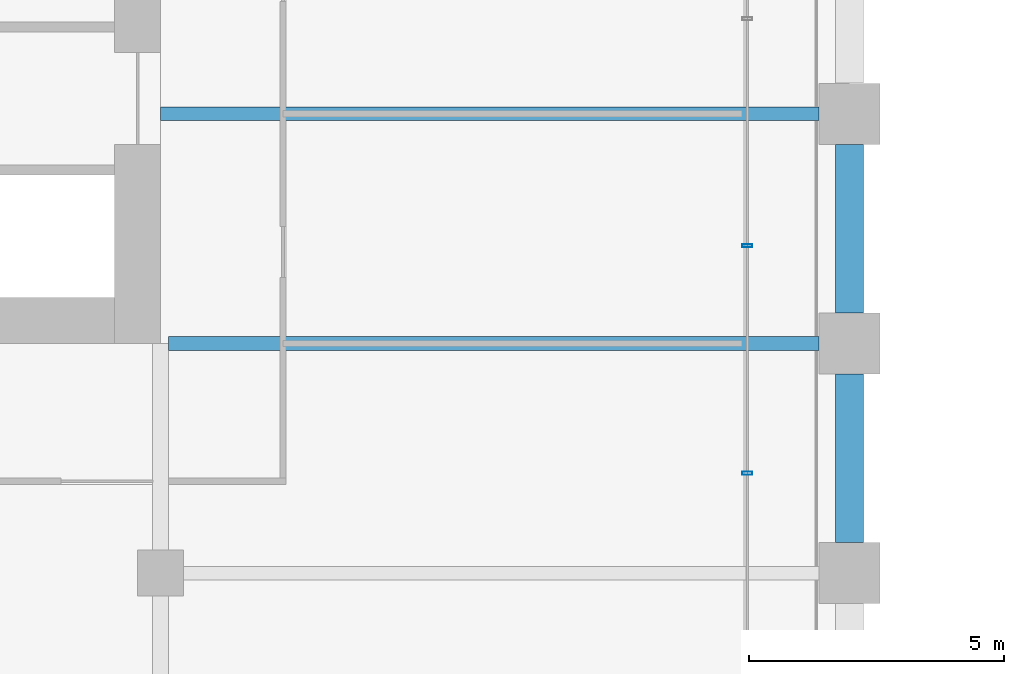
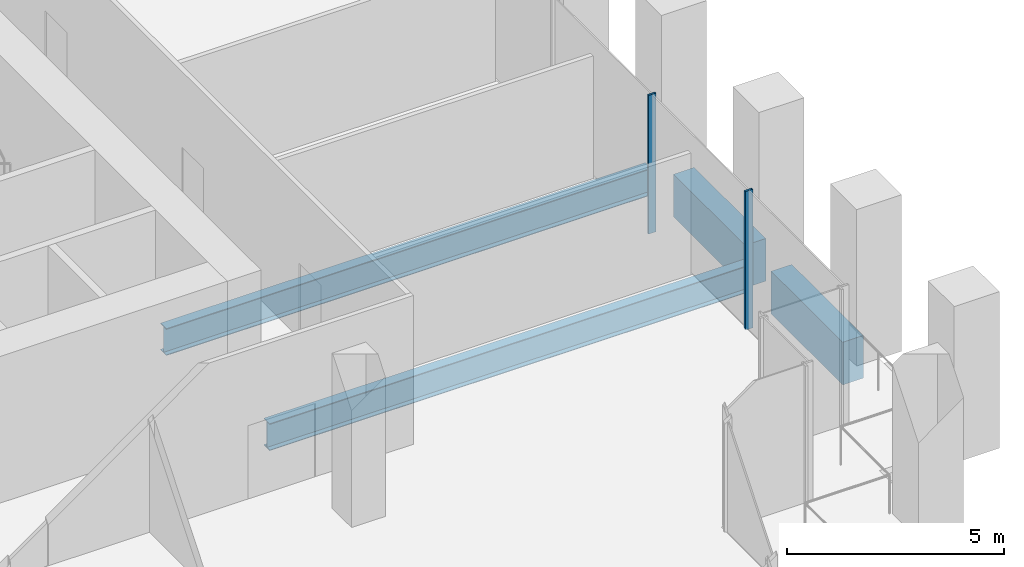
# One storey, part 10 of 36: 4 beams, 2 members, 1 element without a shape of its own.
"""IFC4 building model written with IfcOpenShell, lengths in metres."""

from ifc_helpers import new_model, si_unit, direction, frame, origin, origin_2d, place, context, subcontext, project, spatial, rectangle, hollow_rectangle, i_section, extrude, material, material_profile, profile_set, type_object, element, aggregate, save


model = new_model("IFC4")

# Units and contexts
model_context = context("Model", 3, precision=1e-05, world=origin(), true_north=direction((0.0, 1.0)))
body_context = subcontext(model_context, "Body", "Model", "MODEL_VIEW")
ifc_project = project(units=[si_unit("LENGTHUNIT", "METRE"), si_unit("AREAUNIT", "SQUARE_METRE"), si_unit("VOLUMEUNIT", "CUBIC_METRE"), si_unit("PLANEANGLEUNIT", "RADIAN"), si_unit("MASSUNIT", "GRAM", prefix="KILO")], contexts=[model_context])

# Site, building, storey
site_placement = place(None, origin())
site = spatial("IfcSite", under=ifc_project, at=site_placement, CompositionType="ELEMENT")
building_placement = place(site_placement, origin())
building = spatial("IfcBuilding", under=site, at=building_placement, Name="Altepetl Exchange Towers", CompositionType="ELEMENT")
storey_placement = place(building_placement, frame((0.0, 0.0, 34.199951171875)))
storey = spatial("IfcBuildingStorey", under=building, at=storey_placement, Name="L07", CompositionType="ELEMENT", Elevation=34.199951171875)

# Beams
ifc_material_1 = material(Name="Steel S355", Category="steel")
ifc_material_profile_1 = material_profile(ifc_material_1, i_section(OverallWidth=0.26611328125, OverallDepth=0.758056640625, WebThickness=0.013916015625, FlangeThickness=0.019287109375, at=origin_2d()), Name="W30X108")
ifc_profile_set_1 = profile_set([ifc_material_profile_1], Name="Steel S355")
beam_type_1 = type_object("IfcBeamType", Name="Floor beam W30X108", PredefinedType="BEAM", material=ifc_profile_set_1)
beam_1_placement = place(storey_placement, frame((58.654052734375, 40.5, -0.553955078125), z_axis=(1.0, 0.0, 0.0), x_axis=(0.0, 1.0, 0.0)))
element("IfcBeam", 1, at=beam_1_placement, inside=storey, type_object=beam_type_1, Name="bm:A:L07:008", PredefinedType="BEAM", context=body_context, shape_type="SweptSolid", body=[
    extrude(i_section(OverallWidth=0.26611328125, OverallDepth=0.758056640625, WebThickness=0.013916015625, FlangeThickness=0.019287109375, at=origin_2d()), origin(), (0.0, 0.0, 1.0), 12.745849609375),
])
beam_2_placement = place(storey_placement, frame((58.5, 45.0, -0.553955078125), z_axis=(1.0, 0.0, 0.0), x_axis=(0.0, 1.0, 0.0)))
element("IfcBeam", 2, at=beam_2_placement, inside=storey, type_object=beam_type_1, Name="bm:A:L07:009", PredefinedType="BEAM", context=body_context, shape_type="SweptSolid", body=[
    extrude(i_section(OverallWidth=0.26611328125, OverallDepth=0.758056640625, WebThickness=0.013916015625, FlangeThickness=0.019287109375, at=origin_2d()), origin(), (0.0, 0.0, 1.0), 12.89990234375),
])

# Curtain wall, members
ifc_material_2 = material(Name="Aluminium 6063-T6 glazing", Category="aluminium")
curtain_wall_type = type_object("IfcCurtainWallType", Name="Trading floor glazing system", PredefinedType="NOTDEFINED", material=ifc_material_2)
curtain_wall_placement = place(storey_placement, origin())
curtain_wall = element("IfcCurtainWall", 3, at=curtain_wall_placement, inside=storey, type_object=curtain_wall_type, Name="CW2 run", PredefinedType="NOTDEFINED")
ifc_material_3 = material(Name="Aluminium 6063-T6", Category="aluminium")
ifc_material_profile_2 = material_profile(ifc_material_3, hollow_rectangle(XDim=0.06005859375, YDim=0.199951171875, WallThickness=0.0029296875, at=origin_2d()), Name="Mullion 60x200 aluminium")
ifc_profile_set_2 = profile_set([ifc_material_profile_2], Name="Aluminium 6063-T6")
member_type = type_object("IfcMemberType", Name="Mullion 60x200 aluminium", PredefinedType="MULLION", material=ifc_profile_set_2)
member_1_placement = place(storey_placement, frame((70.0, 37.9560546875, 0.0), z_axis=(0.0, 0.0, 1.0), x_axis=(0.0, 1.0, 0.0)))
member_1 = element("IfcMember", 4, at=member_1_placement, type_object=member_type, Name="MU2 mullion", PredefinedType="MULLION", context=body_context, shape_type="SweptSolid", body=[
    extrude(hollow_rectangle(XDim=0.06005859375, YDim=0.199951171875, WallThickness=0.0029296875, at=origin_2d()), origin(), (0.0, 0.0, 1.0), 3.900146484375),
])
member_2_placement = place(storey_placement, frame((70.0, 42.412109375, 0.0), z_axis=(0.0, 0.0, 1.0), x_axis=(0.0, 1.0, 0.0)))
member_2 = element("IfcMember", 5, at=member_2_placement, type_object=member_type, Name="MU2 mullion", PredefinedType="MULLION", context=body_context, shape_type="SweptSolid", body=[
    extrude(hollow_rectangle(XDim=0.06005859375, YDim=0.199951171875, WallThickness=0.0029296875, at=origin_2d()), origin(), (0.0, 0.0, 1.0), 3.900146484375),
])
aggregate(curtain_wall, [member_1, member_2])

# Beams
ifc_material_4 = material(Name="Concrete C50/60 precast with cantera amarilla facing", Category="concrete")
ifc_material_profile_3 = material_profile(ifc_material_4, rectangle(XDim=0.550048828125, YDim=1.199951171875, at=origin_2d()), Name="550 x 1200")
ifc_profile_set_3 = profile_set([ifc_material_profile_3], Name="Concrete C50/60 precast with cantera amarilla facing")
beam_type_2 = type_object("IfcBeamType", Name="Spandrel beam 550x1200 cantera amarilla", PredefinedType="SPANDREL", material=ifc_profile_set_3)
for number, where, z_axis, x_axis, name in (
    (6, (72.0, 36.60009765625, -0.77490234375), (0.0, 1.0, 0.0), (-1.0, 0.0, 0.0), "sp:A:L07:013"),
    (7, (72.0, 41.10009765625, -0.77490234375), (0.0, 1.0, 0.0), (-1.0, 0.0, 0.0), "sp:A:L07:014"),
):
    element("IfcBeam", number, at=place(storey_placement, frame(where, z_axis=z_axis, x_axis=x_axis)), inside=storey, type_object=beam_type_2, Name=name, PredefinedType="SPANDREL", context=body_context, shape_type="SweptSolid", body=[
        extrude(rectangle(XDim=0.550048828125, YDim=1.199951171875, at=origin_2d()), origin(), (0.0, 0.0, 1.0), 3.2998046875),
    ])

save(model, "model.ifc")
